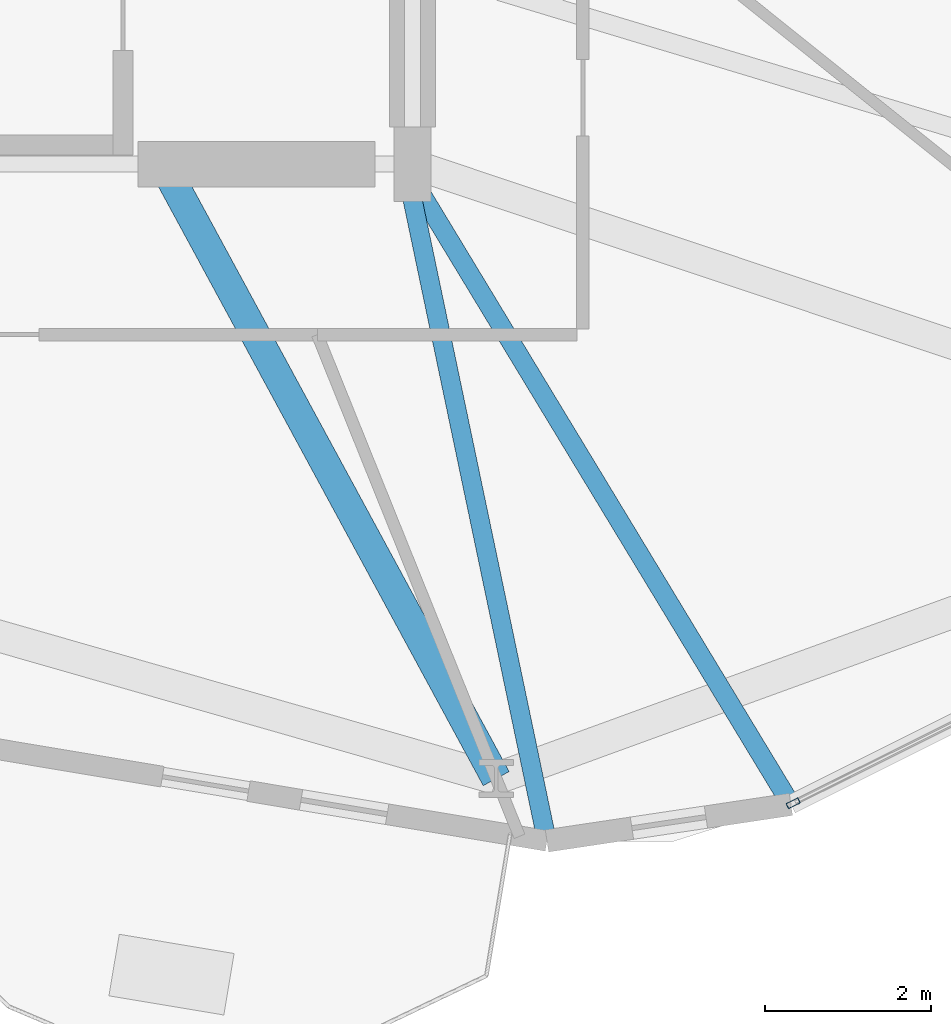
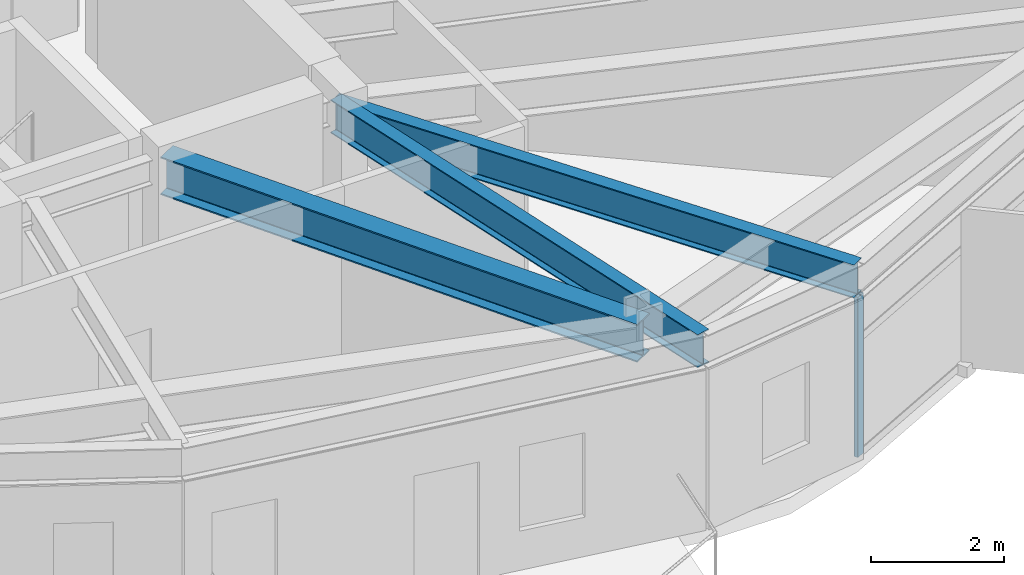
# One storey, part 4 of 22: 3 beams, 1 member, 1 element without a shape of its own.
"""IFC4 building model written with IfcOpenShell, lengths in metres."""

from ifc_helpers import new_model, si_unit, direction, frame, origin, origin_2d, place, context, subcontext, project, spatial, hollow_rectangle, i_section, extrude, material, layer, layer_set, material_profile, profile_set, type_object, element, aggregate, save


model = new_model("IFC4")

# Units and contexts
model_context = context("Model", 3, precision=1e-05, world=origin(), true_north=direction((0.0, 1.0)))
body_context = subcontext(model_context, "Body", "Model", "MODEL_VIEW")
ifc_project = project(units=[si_unit("LENGTHUNIT", "METRE"), si_unit("AREAUNIT", "SQUARE_METRE"), si_unit("VOLUMEUNIT", "CUBIC_METRE"), si_unit("PLANEANGLEUNIT", "RADIAN"), si_unit("MASSUNIT", "GRAM", prefix="KILO")], contexts=[model_context])

# Site, building, storey
site_placement = place(None, origin())
site = spatial("IfcSite", under=ifc_project, at=site_placement, CompositionType="ELEMENT")
building_placement = place(site_placement, origin())
building = spatial("IfcBuilding", under=site, at=building_placement, Name="Soratama Intermodal Tower", CompositionType="ELEMENT")
storey_placement = place(building_placement, frame((0.0, 0.0, 130.300048828125)))
storey = spatial("IfcBuildingStorey", under=building, at=storey_placement, Name="L31", CompositionType="ELEMENT", Elevation=130.300048828125)

# Beams
ifc_material_1 = material(Name="Structural steel ASTM A992 Grade 50", Category="steel")
ifc_material_profile_1 = material_profile(ifc_material_1, i_section(OverallWidth=0.35498046875, OverallDepth=0.695068359375, WebThickness=0.015380859375, FlangeThickness=0.02490234375, FilletRadius=0.01611328125, at=origin_2d()), Name="W27X146")
ifc_profile_set_1 = profile_set([ifc_material_profile_1], Name="Structural steel ASTM A992 Grade 50")
beam_type_1 = type_object("IfcBeamType", Name="BM-RING-W27X146", PredefinedType="BEAM", material=ifc_profile_set_1)
beam_1_placement = place(storey_placement, frame((41.60009765625, 15.0, 3.21240234375), z_axis=(0.476697610532, -0.879067339919, 0.0), x_axis=(0.879067339919, 0.476697610532, 0.0)))
element("IfcBeam", 1, at=beam_1_placement, inside=storey, type_object=beam_type_1, Name="BM-L31-RAD-08", PredefinedType="BEAM", context=body_context, shape_type="SweptSolid", body=[
    extrude(i_section(OverallWidth=0.35498046875, OverallDepth=0.695068359375, WebThickness=0.015380859375, FlangeThickness=0.02490234375, FilletRadius=0.01611328125, at=origin_2d()), origin(), (0.0, 0.0, 1.0), 8.405517578125),
])
ifc_material_2 = material(Name="Structural steel ASTM A992 Grade 50", Category="steel")
ifc_material_profile_2 = material_profile(ifc_material_2, i_section(OverallWidth=0.22900390625, OverallDepth=0.612060546875, WebThickness=0.011962890625, FlangeThickness=0.01953125, FilletRadius=0.012939453125, at=origin_2d()), Name="W24X84")
ifc_profile_set_2 = profile_set([ifc_material_profile_2], Name="Structural steel ASTM A992 Grade 50")
beam_type_2 = type_object("IfcBeamType", Name="BM-TIE-W24X84", PredefinedType="BEAM", material=ifc_profile_set_2)
beam_2_placement = place(storey_placement, frame((44.52001953125, 14.9609375, 3.25390625), z_axis=(0.205084018003, -0.978744371917, 0.0), x_axis=(0.978744371917, 0.205084018003, 0.0)))
element("IfcBeam", 2, at=beam_2_placement, inside=storey, type_object=beam_type_2, Name="BM-L31-TIE1-07", PredefinedType="BEAM", context=body_context, shape_type="SweptSolid", body=[
    extrude(i_section(OverallWidth=0.22900390625, OverallDepth=0.612060546875, WebThickness=0.011962890625, FlangeThickness=0.01953125, FilletRadius=0.012939453125, at=origin_2d()), origin(), (0.0, 0.0, 1.0), 8.274658203125),
])
beam_3_placement = place(storey_placement, frame((44.510009765625, 14.966064453125, 3.25390625), z_axis=(0.517973758252, -0.85539650792, 0.0), x_axis=(0.85539650792, 0.517973758252, 0.0)))
element("IfcBeam", 3, at=beam_3_placement, inside=storey, type_object=beam_type_2, Name="BM-L31-TIE0-08", PredefinedType="BEAM", context=body_context, shape_type="SweptSolid", body=[
    extrude(i_section(OverallWidth=0.22900390625, OverallDepth=0.612060546875, WebThickness=0.011962890625, FlangeThickness=0.01953125, FilletRadius=0.012939453125, at=origin_2d()), origin(), (0.0, 0.0, 1.0), 8.959716796875),
])

# Curtain wall, member
ifc_material_3 = material(Name="Double-glazed aluminium curtain wall", Category="aluminium")
ifc_layer = layer(ifc_material_3, 0.159912109375)
ifc_layer_set = layer_set([ifc_layer], Name="Double-glazed aluminium curtain wall")
curtain_wall_type = type_object("IfcCurtainWallType", Name="CW-SYS-3", PredefinedType="NOTDEFINED", material=ifc_layer_set)
curtain_wall_placement = place(storey_placement, origin())
curtain_wall = element("IfcCurtainWall", 4, at=curtain_wall_placement, inside=storey, type_object=curtain_wall_type, Name="L31 Faceted Curtain Wall F08", PredefinedType="NOTDEFINED")
ifc_material_4 = material(Name="Anodised aluminium AA 6063-T6", Category="aluminium")
ifc_material_profile_3 = material_profile(ifc_material_4, hollow_rectangle(XDim=0.070068359375, YDim=0.159912109375, WallThickness=0.0048828125, InnerFilletRadius=0.0048828125, OuterFilletRadius=0.010009765625, at=origin_2d()), Name="CWM160X70X5")
ifc_profile_set_3 = profile_set([ifc_material_profile_3], Name="Anodised aluminium AA 6063-T6")
member_type = type_object("IfcMemberType", Name="MT-CWM-3", PredefinedType="MULLION", material=ifc_profile_set_3)
member_placement = place(storey_placement, frame((49.177978515625, 7.31494140625, 0.0), z_axis=(0.0, 0.0, 1.0), x_axis=(-0.446516244354, 0.894775526894, 0.0)))
member = element("IfcMember", 5, at=member_placement, type_object=member_type, Name="CW-3 mullion 1", PredefinedType="MULLION", context=body_context, shape_type="SweptSolid", body=[
    extrude(hollow_rectangle(XDim=0.070068359375, YDim=0.159912109375, WallThickness=0.0048828125, InnerFilletRadius=0.0048828125, OuterFilletRadius=0.010009765625, at=origin_2d()), origin(), (0.0, 0.0, 1.0), 2.93896484375),
])
aggregate(curtain_wall, [member])

save(model, "model.ifc")
